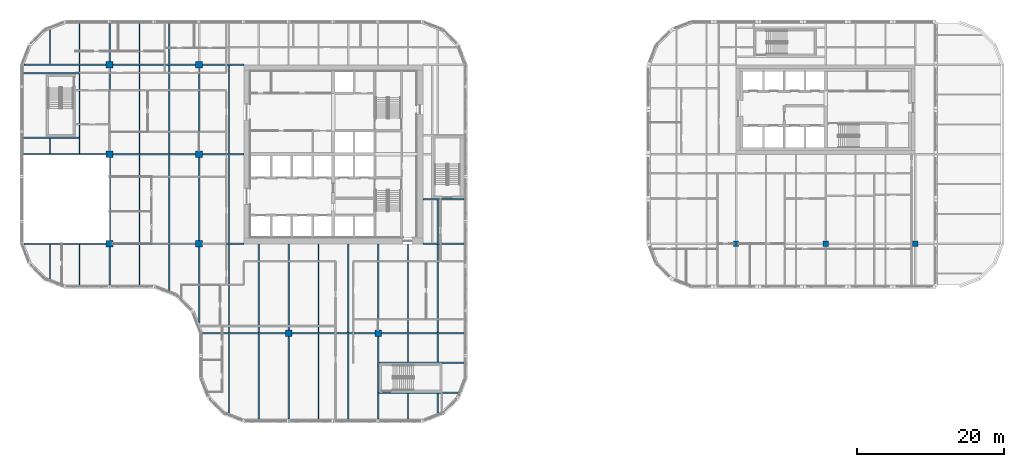
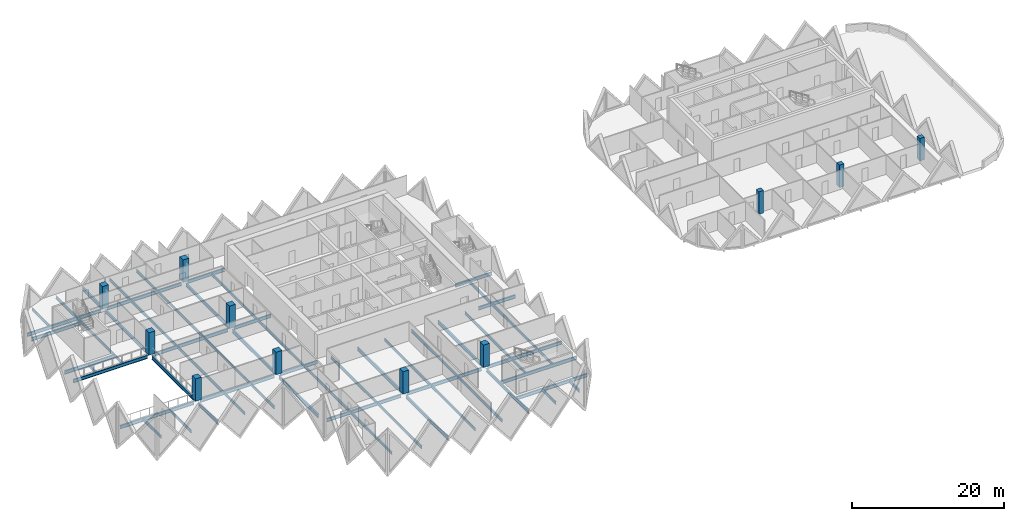
# One storey, part 1 of 18: 60 beams, 11 columns.
"""IFC4 building model written with IfcOpenShell, lengths in metres."""

from ifc_helpers import new_model, si_unit, direction, frame, origin, origin_2d, place, context, subcontext, project, spatial, rectangle, i_section, extrude, material, material_profile, profile_set, type_object, element, save


model = new_model("IFC4")

# Units and contexts
model_context = context("Model", 3, precision=1e-05, world=origin(), true_north=direction((0.0, 1.0)))
body_context = subcontext(model_context, "Body", "Model", "MODEL_VIEW")
ifc_project = project(units=[si_unit("LENGTHUNIT", "METRE"), si_unit("AREAUNIT", "SQUARE_METRE"), si_unit("VOLUMEUNIT", "CUBIC_METRE"), si_unit("PLANEANGLEUNIT", "RADIAN"), si_unit("MASSUNIT", "GRAM", prefix="KILO")], contexts=[model_context])

# Site, building, storey
site_placement = place(None, origin())
site = spatial("IfcSite", under=ifc_project, at=site_placement, CompositionType="ELEMENT")
building_placement = place(site_placement, origin())
building = spatial("IfcBuilding", under=site, at=building_placement, Name="Tessera Gate Towers", CompositionType="ELEMENT")
storey_placement = place(building_placement, frame((0.0, 0.0, 95.199951171875)))
storey = spatial("IfcBuildingStorey", under=building, at=storey_placement, Name="L23", CompositionType="ELEMENT", Elevation=95.199951171875)

# Columns
ifc_material_1 = material(Name="Concrete C70/85", Category="concrete")
ifc_material_profile_1 = material_profile(ifc_material_1, rectangle(XDim=0.699951171875, YDim=0.699951171875, at=origin_2d()), Name="RC 700x700")
ifc_profile_set_1 = profile_set([ifc_material_profile_1], Name="Concrete C70/85")
column_type_1 = type_object("IfcColumnType", Name="COLUMN RC 700x700", PredefinedType="COLUMN", material=ifc_profile_set_1)
for number, where, z_axis, x_axis, name in (
    (1, (97.60009765625, 24.39990234375, 0.0), (0.0, 0.0, 1.0), (1.0, 0.0, 0.0), "T2-COL-9C-L23"),
    (2, (109.800048828125, 24.39990234375, 0.0), (0.0, 0.0, 1.0), (1.0, 0.0, 0.0), "T2-COL-10C-L23"),
    (3, (122.0, 24.39990234375, 0.0), (0.0, 0.0, 1.0), (1.0, 0.0, 0.0), "T2-COL-11C-L23"),
):
    element("IfcColumn", number, at=place(storey_placement, frame(where, z_axis=z_axis, x_axis=x_axis)), inside=storey, type_object=column_type_1, Name=name, PredefinedType="COLUMN", context=body_context, shape_type="SweptSolid", body=[
        extrude(rectangle(XDim=0.699951171875, YDim=0.699951171875, at=origin_2d()), origin(), (0.0, 0.0, 1.0), 3.60009765625),
    ])
ifc_material_2 = material(Name="Concrete C70/85", Category="concrete")
ifc_material_profile_2 = material_profile(ifc_material_2, rectangle(XDim=0.89990234375, YDim=0.89990234375, at=origin_2d()), Name="RC 900x900")
ifc_profile_set_2 = profile_set([ifc_material_profile_2], Name="Concrete C70/85")
column_type_2 = type_object("IfcColumnType", Name="COLUMN RC 900x900", PredefinedType="COLUMN", material=ifc_profile_set_2)
for number, where, z_axis, x_axis, name in (
    (4, (12.199951171875, 24.39990234375, 0.0), (0.0, 0.0, 1.0), (1.0, 0.0, 0.0), "T1-COL-2C-L23"),
    (5, (12.199951171875, 36.60009765625, 0.0), (0.0, 0.0, 1.0), (1.0, 0.0, 0.0), "T1-COL-2D-L23"),
    (6, (12.199951171875, 48.800048828125, 0.0), (0.0, 0.0, 1.0), (1.0, 0.0, 0.0), "T1-COL-2E-L23"),
    (7, (24.39990234375, 24.39990234375, 0.0), (0.0, 0.0, 1.0), (1.0, 0.0, 0.0), "T1-COL-3C-L23"),
    (8, (24.39990234375, 36.60009765625, 0.0), (0.0, 0.0, 1.0), (1.0, 0.0, 0.0), "T1-COL-3D-L23"),
    (9, (24.39990234375, 48.800048828125, 0.0), (0.0, 0.0, 1.0), (1.0, 0.0, 0.0), "T1-COL-3E-L23"),
    (10, (36.60009765625, 12.199951171875, 0.0), (0.0, 0.0, 1.0), (1.0, 0.0, 0.0), "T1-COL-4B-L23"),
    (11, (48.800048828125, 12.199951171875, 0.0), (0.0, 0.0, 1.0), (1.0, 0.0, 0.0), "T1-COL-5B-L23"),
):
    element("IfcColumn", number, at=place(storey_placement, frame(where, z_axis=z_axis, x_axis=x_axis)), inside=storey, type_object=column_type_2, Name=name, PredefinedType="COLUMN", context=body_context, shape_type="SweptSolid", body=[
        extrude(rectangle(XDim=0.89990234375, YDim=0.89990234375, at=origin_2d()), origin(), (0.0, 0.0, 1.0), 3.60009765625),
    ])

# Beams
ifc_material_3 = material(Name="Steel 350W", Category="steel")
ifc_material_profile_3 = material_profile(ifc_material_3, i_section(OverallWidth=0.208984375, OverallDepth=0.532958984375, WebThickness=0.01025390625, FlangeThickness=0.015625, at=origin_2d()), Name="W530x92")
ifc_profile_set_3 = profile_set([ifc_material_profile_3], Name="Steel 350W")
beam_type_1 = type_object("IfcBeamType", Name="FLOOR GIRDER W530x92", PredefinedType="BEAM", material=ifc_profile_set_3)
beam_1_placement = place(storey_placement, frame((24.89892578125, 12.199951171875, -0.466552734375), z_axis=(1.0, 0.0, 0.0), x_axis=(0.0, 1.0, 0.0)))
element("IfcBeam", 12, at=beam_1_placement, inside=storey, type_object=beam_type_1, Name="T1-GD-L23-3058", PredefinedType="BEAM", context=body_context, shape_type="SweptSolid", body=[
    extrude(i_section(OverallWidth=0.208984375, OverallDepth=0.532958984375, WebThickness=0.01025390625, FlangeThickness=0.015625, at=origin_2d()), origin(), (0.0, 0.0, 1.0), 11.2509765625),
])
beam_2_placement = place(storey_placement, frame((37.050048828125, 12.199951171875, -0.466552734375), z_axis=(1.0, 0.0, 0.0), x_axis=(0.0, 1.0, 0.0)))
element("IfcBeam", 13, at=beam_2_placement, inside=storey, type_object=beam_type_1, Name="T1-GD-L23-3059", PredefinedType="BEAM", context=body_context, shape_type="SweptSolid", body=[
    extrude(i_section(OverallWidth=0.208984375, OverallDepth=0.532958984375, WebThickness=0.01025390625, FlangeThickness=0.015625, at=origin_2d()), origin(), (0.0, 0.0, 1.0), 11.300048828125),
])
beam_3_placement = place(storey_placement, frame((49.25, 12.199951171875, -0.466552734375), z_axis=(1.0, 0.0, 0.0), x_axis=(0.0, 1.0, 0.0)))
element("IfcBeam", 14, at=beam_3_placement, inside=storey, type_object=beam_type_1, Name="T1-GD-L23-3060", PredefinedType="BEAM", context=body_context, shape_type="SweptSolid", body=[
    extrude(i_section(OverallWidth=0.208984375, OverallDepth=0.532958984375, WebThickness=0.01025390625, FlangeThickness=0.015625, at=origin_2d()), origin(), (0.0, 0.0, 1.0), 11.2509765625),
])
beam_4_placement = place(storey_placement, frame((0.534912109375, 24.39990234375, -0.466552734375), z_axis=(1.0, 0.0, 0.0), x_axis=(0.0, 1.0, 0.0)))
element("IfcBeam", 15, at=beam_4_placement, inside=storey, type_object=beam_type_1, Name="T1-GD-L23-3061", PredefinedType="BEAM", context=body_context, shape_type="SweptSolid", body=[
    extrude(i_section(OverallWidth=0.208984375, OverallDepth=0.532958984375, WebThickness=0.01025390625, FlangeThickness=0.015625, at=origin_2d()), origin(), (0.0, 0.0, 1.0), 11.215087890625),
])
beam_5_placement = place(storey_placement, frame((12.64990234375, 24.39990234375, -0.466552734375), z_axis=(1.0, 0.0, 0.0), x_axis=(0.0, 1.0, 0.0)))
element("IfcBeam", 16, at=beam_5_placement, inside=storey, type_object=beam_type_1, Name="T1-GD-L23-3062", PredefinedType="BEAM", context=body_context, shape_type="SweptSolid", body=[
    extrude(i_section(OverallWidth=0.208984375, OverallDepth=0.532958984375, WebThickness=0.01025390625, FlangeThickness=0.015625, at=origin_2d()), origin(), (0.0, 0.0, 1.0), 11.300048828125),
])
beam_6_placement = place(storey_placement, frame((24.85009765625, 24.39990234375, -0.466552734375), z_axis=(1.0, 0.0, 0.0), x_axis=(0.0, 1.0, 0.0)))
element("IfcBeam", 17, at=beam_6_placement, inside=storey, type_object=beam_type_1, Name="T1-GD-L23-3063", PredefinedType="BEAM", context=body_context, shape_type="SweptSolid", body=[
    extrude(i_section(OverallWidth=0.208984375, OverallDepth=0.532958984375, WebThickness=0.01025390625, FlangeThickness=0.015625, at=origin_2d()), origin(), (0.0, 0.0, 1.0), 5.64892578125),
])
beam_7_placement = place(storey_placement, frame((54.90087890625, 24.39990234375, -0.466552734375), z_axis=(1.0, 0.0, 0.0), x_axis=(0.0, 1.0, 0.0)))
element("IfcBeam", 18, at=beam_7_placement, inside=storey, type_object=beam_type_1, Name="T1-GD-L23-3064", PredefinedType="BEAM", context=body_context, shape_type="SweptSolid", body=[
    extrude(i_section(OverallWidth=0.208984375, OverallDepth=0.532958984375, WebThickness=0.01025390625, FlangeThickness=0.015625, at=origin_2d()), origin(), (0.0, 0.0, 1.0), 5.60009765625),
])
beam_8_placement = place(storey_placement, frame((0.4990234375, 36.60009765625, -0.466552734375), z_axis=(1.0, 0.0, 0.0), x_axis=(0.0, 1.0, 0.0)))
element("IfcBeam", 19, at=beam_8_placement, inside=storey, type_object=beam_type_1, Name="T1-GD-L23-3065", PredefinedType="BEAM", context=body_context, shape_type="SweptSolid", body=[
    extrude(i_section(OverallWidth=0.208984375, OverallDepth=0.532958984375, WebThickness=0.01025390625, FlangeThickness=0.015625, at=origin_2d()), origin(), (0.0, 0.0, 1.0), 11.2509765625),
])
beam_9_placement = place(storey_placement, frame((12.64990234375, 36.60009765625, -0.466552734375), z_axis=(1.0, 0.0, 0.0), x_axis=(0.0, 1.0, 0.0)))
element("IfcBeam", 20, at=beam_9_placement, inside=storey, type_object=beam_type_1, Name="T1-GD-L23-3066", PredefinedType="BEAM", context=body_context, shape_type="SweptSolid", body=[
    extrude(i_section(OverallWidth=0.208984375, OverallDepth=0.532958984375, WebThickness=0.01025390625, FlangeThickness=0.015625, at=origin_2d()), origin(), (0.0, 0.0, 1.0), 11.300048828125),
])
beam_10_placement = place(storey_placement, frame((24.85009765625, 36.60009765625, -0.466552734375), z_axis=(1.0, 0.0, 0.0), x_axis=(0.0, 1.0, 0.0)))
element("IfcBeam", 21, at=beam_10_placement, inside=storey, type_object=beam_type_1, Name="T1-GD-L23-3067", PredefinedType="BEAM", context=body_context, shape_type="SweptSolid", body=[
    extrude(i_section(OverallWidth=0.208984375, OverallDepth=0.532958984375, WebThickness=0.01025390625, FlangeThickness=0.015625, at=origin_2d()), origin(), (0.0, 0.0, 1.0), 5.65087890625),
])
beam_11_placement = place(storey_placement, frame((0.534912109375, 48.800048828125, -0.466552734375), z_axis=(1.0, 0.0, 0.0), x_axis=(0.0, 1.0, 0.0)))
element("IfcBeam", 22, at=beam_11_placement, inside=storey, type_object=beam_type_1, Name="T1-GD-L23-3069", PredefinedType="BEAM", context=body_context, shape_type="SweptSolid", body=[
    extrude(i_section(OverallWidth=0.208984375, OverallDepth=0.532958984375, WebThickness=0.01025390625, FlangeThickness=0.015625, at=origin_2d()), origin(), (0.0, 0.0, 1.0), 11.215087890625),
])
beam_12_placement = place(storey_placement, frame((12.64990234375, 48.800048828125, -0.466552734375), z_axis=(1.0, 0.0, 0.0), x_axis=(0.0, 1.0, 0.0)))
element("IfcBeam", 23, at=beam_12_placement, inside=storey, type_object=beam_type_1, Name="T1-GD-L23-3070", PredefinedType="BEAM", context=body_context, shape_type="SweptSolid", body=[
    extrude(i_section(OverallWidth=0.208984375, OverallDepth=0.532958984375, WebThickness=0.01025390625, FlangeThickness=0.015625, at=origin_2d()), origin(), (0.0, 0.0, 1.0), 11.300048828125),
])
beam_13_placement = place(storey_placement, frame((24.85009765625, 48.800048828125, -0.466552734375), z_axis=(1.0, 0.0, 0.0), x_axis=(0.0, 1.0, 0.0)))
element("IfcBeam", 24, at=beam_13_placement, inside=storey, type_object=beam_type_1, Name="T1-GD-L23-3071", PredefinedType="BEAM", context=body_context, shape_type="SweptSolid", body=[
    extrude(i_section(OverallWidth=0.208984375, OverallDepth=0.532958984375, WebThickness=0.01025390625, FlangeThickness=0.015625, at=origin_2d()), origin(), (0.0, 0.0, 1.0), 5.64892578125),
])
beam_14_placement = place(storey_placement, frame((12.199951171875, 18.799072265625, -0.466552734375), z_axis=(0.0, 1.0, 0.0), x_axis=(-1.0, 0.0, 0.0)))
element("IfcBeam", 25, at=beam_14_placement, inside=storey, type_object=beam_type_1, Name="T1-GD-L23-3073", PredefinedType="BEAM", context=body_context, shape_type="SweptSolid", body=[
    extrude(i_section(OverallWidth=0.208984375, OverallDepth=0.532958984375, WebThickness=0.01025390625, FlangeThickness=0.015625, at=origin_2d()), origin(), (0.0, 0.0, 1.0), 5.15087890625),
])
beam_15_placement = place(storey_placement, frame((12.199951171875, 24.85009765625, -0.466552734375), z_axis=(0.0, 1.0, 0.0), x_axis=(-1.0, 0.0, 0.0)))
element("IfcBeam", 26, at=beam_15_placement, inside=storey, type_object=beam_type_1, Name="T1-GD-L23-3074", PredefinedType="BEAM", context=body_context, shape_type="SweptSolid", body=[
    extrude(i_section(OverallWidth=0.208984375, OverallDepth=0.532958984375, WebThickness=0.01025390625, FlangeThickness=0.015625, at=origin_2d()), origin(), (0.0, 0.0, 1.0), 11.2998046875),
])
beam_16_placement = place(storey_placement, frame((12.199951171875, 37.050048828125, -0.466552734375), z_axis=(0.0, 1.0, 0.0), x_axis=(-1.0, 0.0, 0.0)))
element("IfcBeam", 27, at=beam_16_placement, inside=storey, type_object=beam_type_1, Name="T1-GD-L23-3075", PredefinedType="BEAM", context=body_context, shape_type="SweptSolid", body=[
    extrude(i_section(OverallWidth=0.208984375, OverallDepth=0.532958984375, WebThickness=0.01025390625, FlangeThickness=0.015625, at=origin_2d()), origin(), (0.0, 0.0, 1.0), 11.300048828125),
])
beam_17_placement = place(storey_placement, frame((12.199951171875, 49.25, -0.466552734375), z_axis=(0.0, 1.0, 0.0), x_axis=(-1.0, 0.0, 0.0)))
element("IfcBeam", 28, at=beam_17_placement, inside=storey, type_object=beam_type_1, Name="T1-GD-L23-3076", PredefinedType="BEAM", context=body_context, shape_type="SweptSolid", body=[
    extrude(i_section(OverallWidth=0.208984375, OverallDepth=0.532958984375, WebThickness=0.01025390625, FlangeThickness=0.015625, at=origin_2d()), origin(), (0.0, 0.0, 1.0), 5.15087890625),
])
beam_18_placement = place(storey_placement, frame((24.39990234375, 13.58642578125, -0.466552734375), z_axis=(0.0, 1.0, 0.0), x_axis=(-1.0, 0.0, 0.0)))
element("IfcBeam", 29, at=beam_18_placement, inside=storey, type_object=beam_type_1, Name="T1-GD-L23-3077", PredefinedType="BEAM", context=body_context, shape_type="SweptSolid", body=[
    extrude(i_section(OverallWidth=0.208984375, OverallDepth=0.532958984375, WebThickness=0.01025390625, FlangeThickness=0.015625, at=origin_2d()), origin(), (0.0, 0.0, 1.0), 10.363525390625),
])
beam_19_placement = place(storey_placement, frame((24.39990234375, 24.85009765625, -0.466552734375), z_axis=(0.0, 1.0, 0.0), x_axis=(-1.0, 0.0, 0.0)))
element("IfcBeam", 30, at=beam_19_placement, inside=storey, type_object=beam_type_1, Name="T1-GD-L23-3078", PredefinedType="BEAM", context=body_context, shape_type="SweptSolid", body=[
    extrude(i_section(OverallWidth=0.208984375, OverallDepth=0.532958984375, WebThickness=0.01025390625, FlangeThickness=0.015625, at=origin_2d()), origin(), (0.0, 0.0, 1.0), 11.2998046875),
])
beam_20_placement = place(storey_placement, frame((24.39990234375, 37.050048828125, -0.466552734375), z_axis=(0.0, 1.0, 0.0), x_axis=(-1.0, 0.0, 0.0)))
element("IfcBeam", 31, at=beam_20_placement, inside=storey, type_object=beam_type_1, Name="T1-GD-L23-3079", PredefinedType="BEAM", context=body_context, shape_type="SweptSolid", body=[
    extrude(i_section(OverallWidth=0.208984375, OverallDepth=0.532958984375, WebThickness=0.01025390625, FlangeThickness=0.015625, at=origin_2d()), origin(), (0.0, 0.0, 1.0), 11.300048828125),
])
beam_21_placement = place(storey_placement, frame((36.60009765625, 0.4990234375, -0.466552734375), z_axis=(0.0, 1.0, 0.0), x_axis=(-1.0, 0.0, 0.0)))
element("IfcBeam", 32, at=beam_21_placement, inside=storey, type_object=beam_type_1, Name="T1-GD-L23-3081", PredefinedType="BEAM", context=body_context, shape_type="SweptSolid", body=[
    extrude(i_section(OverallWidth=0.208984375, OverallDepth=0.532958984375, WebThickness=0.01025390625, FlangeThickness=0.015625, at=origin_2d()), origin(), (0.0, 0.0, 1.0), 11.2509765625),
])
beam_22_placement = place(storey_placement, frame((36.60009765625, 12.64990234375, -0.466552734375), z_axis=(0.0, 1.0, 0.0), x_axis=(-1.0, 0.0, 0.0)))
element("IfcBeam", 33, at=beam_22_placement, inside=storey, type_object=beam_type_1, Name="T1-GD-L23-3082", PredefinedType="BEAM", context=body_context, shape_type="SweptSolid", body=[
    extrude(i_section(OverallWidth=0.208984375, OverallDepth=0.532958984375, WebThickness=0.01025390625, FlangeThickness=0.015625, at=origin_2d()), origin(), (0.0, 0.0, 1.0), 11.75),
])
beam_23_placement = place(storey_placement, frame((48.800048828125, 0.4990234375, -0.466552734375), z_axis=(0.0, 1.0, 0.0), x_axis=(-1.0, 0.0, 0.0)))
element("IfcBeam", 34, at=beam_23_placement, inside=storey, type_object=beam_type_1, Name="T1-GD-L23-3083", PredefinedType="BEAM", context=body_context, shape_type="SweptSolid", body=[
    extrude(i_section(OverallWidth=0.208984375, OverallDepth=0.532958984375, WebThickness=0.01025390625, FlangeThickness=0.015625, at=origin_2d()), origin(), (0.0, 0.0, 1.0), 11.2509765625),
])
beam_24_placement = place(storey_placement, frame((48.800048828125, 12.64990234375, -0.466552734375), z_axis=(0.0, 1.0, 0.0), x_axis=(-1.0, 0.0, 0.0)))
element("IfcBeam", 35, at=beam_24_placement, inside=storey, type_object=beam_type_1, Name="T1-GD-L23-3084", PredefinedType="BEAM", context=body_context, shape_type="SweptSolid", body=[
    extrude(i_section(OverallWidth=0.208984375, OverallDepth=0.532958984375, WebThickness=0.01025390625, FlangeThickness=0.015625, at=origin_2d()), origin(), (0.0, 0.0, 1.0), 11.75),
])
for number, where, z_axis, x_axis, name in (
    (36, (0.4990234375, 38.8798828125, -0.466552734375), (1.0, 0.0, 0.0), (0.0, 1.0, 0.0), "T1-GD-L23-3085"),
    (37, (0.4990234375, 47.6201171875, -0.466552734375), (1.0, 0.0, 0.0), (0.0, 1.0, 0.0), "T1-GD-L23-3086"),
):
    element("IfcBeam", number, at=place(storey_placement, frame(where, z_axis=z_axis, x_axis=x_axis)), inside=storey, type_object=beam_type_1, Name=name, PredefinedType="BEAM", context=body_context, shape_type="SweptSolid", body=[
        extrude(i_section(OverallWidth=0.208984375, OverallDepth=0.532958984375, WebThickness=0.01025390625, FlangeThickness=0.015625, at=origin_2d()), origin(), (0.0, 0.0, 1.0), 7.557861328125),
    ])
beam_25_placement = place(storey_placement, frame((48.87646484375, 4.080078125, -0.466552734375), z_axis=(1.0, 0.0, 0.0), x_axis=(0.0, 1.0, 0.0)))
element("IfcBeam", 38, at=beam_25_placement, inside=storey, type_object=beam_type_1, Name="T1-GD-L23-3087", PredefinedType="BEAM", context=body_context, shape_type="SweptSolid", body=[
    extrude(i_section(OverallWidth=0.208984375, OverallDepth=0.532958984375, WebThickness=0.01025390625, FlangeThickness=0.015625, at=origin_2d()), origin(), (0.0, 0.0, 1.0), 10.809326171875),
])
beam_26_placement = place(storey_placement, frame((48.87646484375, 8.219970703125, -0.466552734375), z_axis=(1.0, 0.0, 0.0), x_axis=(0.0, 1.0, 0.0)))
element("IfcBeam", 39, at=beam_26_placement, inside=storey, type_object=beam_type_1, Name="T1-GD-L23-3088", PredefinedType="BEAM", context=body_context, shape_type="SweptSolid", body=[
    extrude(i_section(OverallWidth=0.208984375, OverallDepth=0.532958984375, WebThickness=0.01025390625, FlangeThickness=0.015625, at=origin_2d()), origin(), (0.0, 0.0, 1.0), 11.62451171875),
])
beam_27_placement = place(storey_placement, frame((54.89892578125, 30.47998046875, -0.466552734375), z_axis=(1.0, 0.0, 0.0), x_axis=(0.0, 1.0, 0.0)))
element("IfcBeam", 40, at=beam_27_placement, inside=storey, type_object=beam_type_1, Name="T1-GD-L23-3089", PredefinedType="BEAM", context=body_context, shape_type="SweptSolid", body=[
    extrude(i_section(OverallWidth=0.208984375, OverallDepth=0.532958984375, WebThickness=0.01025390625, FlangeThickness=0.015625, at=origin_2d()), origin(), (0.0, 0.0, 1.0), 5.60205078125),
])
ifc_material_4 = material(Name="Steel 350W", Category="steel")
ifc_material_profile_4 = material_profile(ifc_material_4, i_section(OverallWidth=0.153076171875, OverallDepth=0.455078125, WebThickness=0.008056640625, FlangeThickness=0.01318359375, at=origin_2d()), Name="W460x60")
ifc_profile_set_4 = profile_set([ifc_material_profile_4], Name="Steel 350W")
beam_type_2 = type_object("IfcBeamType", Name="FLOOR SECONDARY W460x60", PredefinedType="BEAM", material=ifc_profile_set_4)
beam_28_placement = place(storey_placement, frame((4.066650390625, 19.620361328125, -0.427490234375), z_axis=(0.0, 1.0, 0.0), x_axis=(-1.0, 0.0, 0.0)))
element("IfcBeam", 41, at=beam_28_placement, inside=storey, type_object=beam_type_2, Name="T1-BM-L23-3092", PredefinedType="BEAM", context=body_context, shape_type="SweptSolid", body=[
    extrude(i_section(OverallWidth=0.153076171875, OverallDepth=0.455078125, WebThickness=0.008056640625, FlangeThickness=0.01318359375, at=origin_2d()), origin(), (0.0, 0.0, 1.0), 4.779541015625),
])
beam_29_placement = place(storey_placement, frame((4.066650390625, 36.70458984375, -0.427490234375), z_axis=(0.0, 1.0, 0.0), x_axis=(-1.0, 0.0, 0.0)))
element("IfcBeam", 42, at=beam_29_placement, inside=storey, type_object=beam_type_2, Name="T1-BM-L23-3093", PredefinedType="BEAM", context=body_context, shape_type="SweptSolid", body=[
    extrude(i_section(OverallWidth=0.153076171875, OverallDepth=0.455078125, WebThickness=0.008056640625, FlangeThickness=0.01318359375, at=origin_2d()), origin(), (0.0, 0.0, 1.0), 2.07080078125),
])
beam_30_placement = place(storey_placement, frame((4.066650390625, 48.904541015625, -0.427490234375), z_axis=(0.0, 1.0, 0.0), x_axis=(-1.0, 0.0, 0.0)))
element("IfcBeam", 43, at=beam_30_placement, inside=storey, type_object=beam_type_2, Name="T1-BM-L23-3094", PredefinedType="BEAM", context=body_context, shape_type="SweptSolid", body=[
    extrude(i_section(OverallWidth=0.153076171875, OverallDepth=0.455078125, WebThickness=0.008056640625, FlangeThickness=0.01318359375, at=origin_2d()), origin(), (0.0, 0.0, 1.0), 4.675048828125),
])
beam_31_placement = place(storey_placement, frame((8.13330078125, 18.800048828125, -0.427490234375), z_axis=(0.0, 1.0, 0.0), x_axis=(-1.0, 0.0, 0.0)))
element("IfcBeam", 44, at=beam_31_placement, inside=storey, type_object=beam_type_2, Name="T1-BM-L23-3095", PredefinedType="BEAM", context=body_context, shape_type="SweptSolid", body=[
    extrude(i_section(OverallWidth=0.153076171875, OverallDepth=0.455078125, WebThickness=0.008056640625, FlangeThickness=0.01318359375, at=origin_2d()), origin(), (0.0, 0.0, 1.0), 5.599853515625),
])
beam_32_placement = place(storey_placement, frame((8.13330078125, 36.70458984375, -0.427490234375), z_axis=(0.0, 1.0, 0.0), x_axis=(-1.0, 0.0, 0.0)))
element("IfcBeam", 45, at=beam_32_placement, inside=storey, type_object=beam_type_2, Name="T1-BM-L23-3096", PredefinedType="BEAM", context=body_context, shape_type="SweptSolid", body=[
    extrude(i_section(OverallWidth=0.153076171875, OverallDepth=0.455078125, WebThickness=0.008056640625, FlangeThickness=0.01318359375, at=origin_2d()), origin(), (0.0, 0.0, 1.0), 11.990966796875),
])
for number, where, z_axis, x_axis, name in (
    (46, (8.13330078125, 48.904541015625, -0.427490234375), (0.0, 1.0, 0.0), (-1.0, 0.0, 0.0), "T1-BM-L23-3097"),
    (47, (16.2666015625, 18.800048828125, -0.427490234375), (0.0, 1.0, 0.0), (-1.0, 0.0, 0.0), "T1-BM-L23-3098"),
):
    element("IfcBeam", number, at=place(storey_placement, frame(where, z_axis=z_axis, x_axis=x_axis)), inside=storey, type_object=beam_type_2, Name=name, PredefinedType="BEAM", context=body_context, shape_type="SweptSolid", body=[
        extrude(i_section(OverallWidth=0.153076171875, OverallDepth=0.455078125, WebThickness=0.008056640625, FlangeThickness=0.01318359375, at=origin_2d()), origin(), (0.0, 0.0, 1.0), 5.495361328125),
    ])
beam_33_placement = place(storey_placement, frame((16.2666015625, 24.50439453125, -0.427490234375), z_axis=(0.0, 1.0, 0.0), x_axis=(-1.0, 0.0, 0.0)))
element("IfcBeam", 48, at=beam_33_placement, inside=storey, type_object=beam_type_2, Name="T1-BM-L23-3099", PredefinedType="BEAM", context=body_context, shape_type="SweptSolid", body=[
    extrude(i_section(OverallWidth=0.153076171875, OverallDepth=0.455078125, WebThickness=0.008056640625, FlangeThickness=0.01318359375, at=origin_2d()), origin(), (0.0, 0.0, 1.0), 11.9912109375),
])
beam_34_placement = place(storey_placement, frame((16.2666015625, 36.70458984375, -0.427490234375), z_axis=(0.0, 1.0, 0.0), x_axis=(-1.0, 0.0, 0.0)))
element("IfcBeam", 49, at=beam_34_placement, inside=storey, type_object=beam_type_2, Name="T1-BM-L23-3100", PredefinedType="BEAM", context=body_context, shape_type="SweptSolid", body=[
    extrude(i_section(OverallWidth=0.153076171875, OverallDepth=0.455078125, WebThickness=0.008056640625, FlangeThickness=0.01318359375, at=origin_2d()), origin(), (0.0, 0.0, 1.0), 11.990966796875),
])
beam_35_placement = place(storey_placement, frame((16.2666015625, 48.904541015625, -0.427490234375), z_axis=(0.0, 1.0, 0.0), x_axis=(-1.0, 0.0, 0.0)))
element("IfcBeam", 50, at=beam_35_placement, inside=storey, type_object=beam_type_2, Name="T1-BM-L23-3101", PredefinedType="BEAM", context=body_context, shape_type="SweptSolid", body=[
    extrude(i_section(OverallWidth=0.153076171875, OverallDepth=0.455078125, WebThickness=0.008056640625, FlangeThickness=0.01318359375, at=origin_2d()), origin(), (0.0, 0.0, 1.0), 5.495361328125),
])
beam_36_placement = place(storey_placement, frame((20.333251953125, 18.051513671875, -0.427490234375), z_axis=(0.0, 1.0, 0.0), x_axis=(-1.0, 0.0, 0.0)))
element("IfcBeam", 51, at=beam_36_placement, inside=storey, type_object=beam_type_2, Name="T1-BM-L23-3102", PredefinedType="BEAM", context=body_context, shape_type="SweptSolid", body=[
    extrude(i_section(OverallWidth=0.153076171875, OverallDepth=0.455078125, WebThickness=0.008056640625, FlangeThickness=0.01318359375, at=origin_2d()), origin(), (0.0, 0.0, 1.0), 6.243896484375),
])
beam_37_placement = place(storey_placement, frame((20.333251953125, 24.50439453125, -0.427490234375), z_axis=(0.0, 1.0, 0.0), x_axis=(-1.0, 0.0, 0.0)))
element("IfcBeam", 52, at=beam_37_placement, inside=storey, type_object=beam_type_2, Name="T1-BM-L23-3103", PredefinedType="BEAM", context=body_context, shape_type="SweptSolid", body=[
    extrude(i_section(OverallWidth=0.153076171875, OverallDepth=0.455078125, WebThickness=0.008056640625, FlangeThickness=0.01318359375, at=origin_2d()), origin(), (0.0, 0.0, 1.0), 11.9912109375),
])
beam_38_placement = place(storey_placement, frame((20.333251953125, 36.70458984375, -0.427490234375), z_axis=(0.0, 1.0, 0.0), x_axis=(-1.0, 0.0, 0.0)))
element("IfcBeam", 53, at=beam_38_placement, inside=storey, type_object=beam_type_2, Name="T1-BM-L23-3104", PredefinedType="BEAM", context=body_context, shape_type="SweptSolid", body=[
    extrude(i_section(OverallWidth=0.153076171875, OverallDepth=0.455078125, WebThickness=0.008056640625, FlangeThickness=0.01318359375, at=origin_2d()), origin(), (0.0, 0.0, 1.0), 11.990966796875),
])
beam_39_placement = place(storey_placement, frame((20.333251953125, 48.904541015625, -0.427490234375), z_axis=(0.0, 1.0, 0.0), x_axis=(-1.0, 0.0, 0.0)))
element("IfcBeam", 54, at=beam_39_placement, inside=storey, type_object=beam_type_2, Name="T1-BM-L23-3105", PredefinedType="BEAM", context=body_context, shape_type="SweptSolid", body=[
    extrude(i_section(OverallWidth=0.153076171875, OverallDepth=0.455078125, WebThickness=0.008056640625, FlangeThickness=0.01318359375, at=origin_2d()), origin(), (0.0, 0.0, 1.0), 5.495361328125),
])
beam_40_placement = place(storey_placement, frame((28.466796875, 1.3203125, -0.427490234375), z_axis=(0.0, 1.0, 0.0), x_axis=(-1.0, 0.0, 0.0)))
element("IfcBeam", 55, at=beam_40_placement, inside=storey, type_object=beam_type_2, Name="T1-BM-L23-3106", PredefinedType="BEAM", context=body_context, shape_type="SweptSolid", body=[
    extrude(i_section(OverallWidth=0.153076171875, OverallDepth=0.455078125, WebThickness=0.008056640625, FlangeThickness=0.01318359375, at=origin_2d()), origin(), (0.0, 0.0, 1.0), 10.775146484375),
])
beam_41_placement = place(storey_placement, frame((28.466796875, 12.304443359375, -0.427490234375), z_axis=(0.0, 1.0, 0.0), x_axis=(-1.0, 0.0, 0.0)))
element("IfcBeam", 56, at=beam_41_placement, inside=storey, type_object=beam_type_2, Name="T1-BM-L23-3107", PredefinedType="BEAM", context=body_context, shape_type="SweptSolid", body=[
    extrude(i_section(OverallWidth=0.153076171875, OverallDepth=0.455078125, WebThickness=0.008056640625, FlangeThickness=0.01318359375, at=origin_2d()), origin(), (0.0, 0.0, 1.0), 11.990966796875),
])
beam_42_placement = place(storey_placement, frame((28.466796875, 24.50439453125, -0.427490234375), z_axis=(0.0, 1.0, 0.0), x_axis=(-1.0, 0.0, 0.0)))
element("IfcBeam", 57, at=beam_42_placement, inside=storey, type_object=beam_type_2, Name="T1-BM-L23-3108", PredefinedType="BEAM", context=body_context, shape_type="SweptSolid", body=[
    extrude(i_section(OverallWidth=0.153076171875, OverallDepth=0.455078125, WebThickness=0.008056640625, FlangeThickness=0.01318359375, at=origin_2d()), origin(), (0.0, 0.0, 1.0), 11.9912109375),
])
beam_43_placement = place(storey_placement, frame((28.466796875, 36.70458984375, -0.427490234375), z_axis=(0.0, 1.0, 0.0), x_axis=(-1.0, 0.0, 0.0)))
element("IfcBeam", 58, at=beam_43_placement, inside=storey, type_object=beam_type_2, Name="T1-BM-L23-3109", PredefinedType="BEAM", context=body_context, shape_type="SweptSolid", body=[
    extrude(i_section(OverallWidth=0.153076171875, OverallDepth=0.455078125, WebThickness=0.008056640625, FlangeThickness=0.01318359375, at=origin_2d()), origin(), (0.0, 0.0, 1.0), 11.990966796875),
])
beam_44_placement = place(storey_placement, frame((32.533203125, 0.5, -0.427490234375), z_axis=(0.0, 1.0, 0.0), x_axis=(-1.0, 0.0, 0.0)))
element("IfcBeam", 59, at=beam_44_placement, inside=storey, type_object=beam_type_2, Name="T1-BM-L23-3111", PredefinedType="BEAM", context=body_context, shape_type="SweptSolid", body=[
    extrude(i_section(OverallWidth=0.153076171875, OverallDepth=0.455078125, WebThickness=0.008056640625, FlangeThickness=0.01318359375, at=origin_2d()), origin(), (0.0, 0.0, 1.0), 11.595458984375),
])
beam_45_placement = place(storey_placement, frame((32.533203125, 12.304443359375, -0.427490234375), z_axis=(0.0, 1.0, 0.0), x_axis=(-1.0, 0.0, 0.0)))
element("IfcBeam", 60, at=beam_45_placement, inside=storey, type_object=beam_type_2, Name="T1-BM-L23-3112", PredefinedType="BEAM", context=body_context, shape_type="SweptSolid", body=[
    extrude(i_section(OverallWidth=0.153076171875, OverallDepth=0.455078125, WebThickness=0.008056640625, FlangeThickness=0.01318359375, at=origin_2d()), origin(), (0.0, 0.0, 1.0), 12.095458984375),
])
beam_46_placement = place(storey_placement, frame((40.666748046875, 0.5, -0.427490234375), z_axis=(0.0, 1.0, 0.0), x_axis=(-1.0, 0.0, 0.0)))
element("IfcBeam", 61, at=beam_46_placement, inside=storey, type_object=beam_type_2, Name="T1-BM-L23-3115", PredefinedType="BEAM", context=body_context, shape_type="SweptSolid", body=[
    extrude(i_section(OverallWidth=0.153076171875, OverallDepth=0.455078125, WebThickness=0.008056640625, FlangeThickness=0.01318359375, at=origin_2d()), origin(), (0.0, 0.0, 1.0), 11.595458984375),
])
beam_47_placement = place(storey_placement, frame((40.666748046875, 12.304443359375, -0.427490234375), z_axis=(0.0, 1.0, 0.0), x_axis=(-1.0, 0.0, 0.0)))
element("IfcBeam", 62, at=beam_47_placement, inside=storey, type_object=beam_type_2, Name="T1-BM-L23-3116", PredefinedType="BEAM", context=body_context, shape_type="SweptSolid", body=[
    extrude(i_section(OverallWidth=0.153076171875, OverallDepth=0.455078125, WebThickness=0.008056640625, FlangeThickness=0.01318359375, at=origin_2d()), origin(), (0.0, 0.0, 1.0), 12.095458984375),
])
beam_48_placement = place(storey_placement, frame((44.7333984375, 0.5, -0.427490234375), z_axis=(0.0, 1.0, 0.0), x_axis=(-1.0, 0.0, 0.0)))
element("IfcBeam", 63, at=beam_48_placement, inside=storey, type_object=beam_type_2, Name="T1-BM-L23-3118", PredefinedType="BEAM", context=body_context, shape_type="SweptSolid", body=[
    extrude(i_section(OverallWidth=0.153076171875, OverallDepth=0.455078125, WebThickness=0.008056640625, FlangeThickness=0.01318359375, at=origin_2d()), origin(), (0.0, 0.0, 1.0), 11.595458984375),
])
beam_49_placement = place(storey_placement, frame((44.7333984375, 12.304443359375, -0.427490234375), z_axis=(0.0, 1.0, 0.0), x_axis=(-1.0, 0.0, 0.0)))
element("IfcBeam", 64, at=beam_49_placement, inside=storey, type_object=beam_type_2, Name="T1-BM-L23-3119", PredefinedType="BEAM", context=body_context, shape_type="SweptSolid", body=[
    extrude(i_section(OverallWidth=0.153076171875, OverallDepth=0.455078125, WebThickness=0.008056640625, FlangeThickness=0.01318359375, at=origin_2d()), origin(), (0.0, 0.0, 1.0), 12.095458984375),
])
beam_50_placement = place(storey_placement, frame((52.86669921875, 0.5, -0.427490234375), z_axis=(0.0, 1.0, 0.0), x_axis=(-1.0, 0.0, 0.0)))
element("IfcBeam", 65, at=beam_50_placement, inside=storey, type_object=beam_type_2, Name="T1-BM-L23-3122", PredefinedType="BEAM", context=body_context, shape_type="SweptSolid", body=[
    extrude(i_section(OverallWidth=0.153076171875, OverallDepth=0.455078125, WebThickness=0.008056640625, FlangeThickness=0.01318359375, at=origin_2d()), origin(), (0.0, 0.0, 1.0), 3.4755859375),
])
beam_51_placement = place(storey_placement, frame((52.86669921875, 8.324462890625, -0.427490234375), z_axis=(0.0, 1.0, 0.0), x_axis=(-1.0, 0.0, 0.0)))
element("IfcBeam", 66, at=beam_51_placement, inside=storey, type_object=beam_type_2, Name="T1-BM-L23-3123", PredefinedType="BEAM", context=body_context, shape_type="SweptSolid", body=[
    extrude(i_section(OverallWidth=0.153076171875, OverallDepth=0.455078125, WebThickness=0.008056640625, FlangeThickness=0.01318359375, at=origin_2d()), origin(), (0.0, 0.0, 1.0), 3.77099609375),
])
beam_52_placement = place(storey_placement, frame((52.86669921875, 12.304443359375, -0.427490234375), z_axis=(0.0, 1.0, 0.0), x_axis=(-1.0, 0.0, 0.0)))
element("IfcBeam", 67, at=beam_52_placement, inside=storey, type_object=beam_type_2, Name="T1-BM-L23-3124", PredefinedType="BEAM", context=body_context, shape_type="SweptSolid", body=[
    extrude(i_section(OverallWidth=0.153076171875, OverallDepth=0.455078125, WebThickness=0.008056640625, FlangeThickness=0.01318359375, at=origin_2d()), origin(), (0.0, 0.0, 1.0), 12.095458984375),
])
beam_53_placement = place(storey_placement, frame((56.933349609375, 1.3203125, -0.427490234375), z_axis=(0.0, 1.0, 0.0), x_axis=(-1.0, 0.0, 0.0)))
element("IfcBeam", 68, at=beam_53_placement, inside=storey, type_object=beam_type_2, Name="T1-BM-L23-3126", PredefinedType="BEAM", context=body_context, shape_type="SweptSolid", body=[
    extrude(i_section(OverallWidth=0.153076171875, OverallDepth=0.455078125, WebThickness=0.008056640625, FlangeThickness=0.01318359375, at=origin_2d()), origin(), (0.0, 0.0, 1.0), 2.6552734375),
])
beam_54_placement = place(storey_placement, frame((56.933349609375, 8.324462890625, -0.427490234375), z_axis=(0.0, 1.0, 0.0), x_axis=(-1.0, 0.0, 0.0)))
element("IfcBeam", 69, at=beam_54_placement, inside=storey, type_object=beam_type_2, Name="T1-BM-L23-3127", PredefinedType="BEAM", context=body_context, shape_type="SweptSolid", body=[
    extrude(i_section(OverallWidth=0.153076171875, OverallDepth=0.455078125, WebThickness=0.008056640625, FlangeThickness=0.01318359375, at=origin_2d()), origin(), (0.0, 0.0, 1.0), 3.77099609375),
])
beam_55_placement = place(storey_placement, frame((56.933349609375, 12.304443359375, -0.427490234375), z_axis=(0.0, 1.0, 0.0), x_axis=(-1.0, 0.0, 0.0)))
element("IfcBeam", 70, at=beam_55_placement, inside=storey, type_object=beam_type_2, Name="T1-BM-L23-3128", PredefinedType="BEAM", context=body_context, shape_type="SweptSolid", body=[
    extrude(i_section(OverallWidth=0.153076171875, OverallDepth=0.455078125, WebThickness=0.008056640625, FlangeThickness=0.01318359375, at=origin_2d()), origin(), (0.0, 0.0, 1.0), 11.990966796875),
])
beam_56_placement = place(storey_placement, frame((56.933349609375, 24.50439453125, -0.427490234375), z_axis=(0.0, 1.0, 0.0), x_axis=(-1.0, 0.0, 0.0)))
element("IfcBeam", 71, at=beam_56_placement, inside=storey, type_object=beam_type_2, Name="T1-BM-L23-3129", PredefinedType="BEAM", context=body_context, shape_type="SweptSolid", body=[
    extrude(i_section(OverallWidth=0.153076171875, OverallDepth=0.455078125, WebThickness=0.008056640625, FlangeThickness=0.01318359375, at=origin_2d()), origin(), (0.0, 0.0, 1.0), 5.87109375),
])

save(model, "model.ifc")
